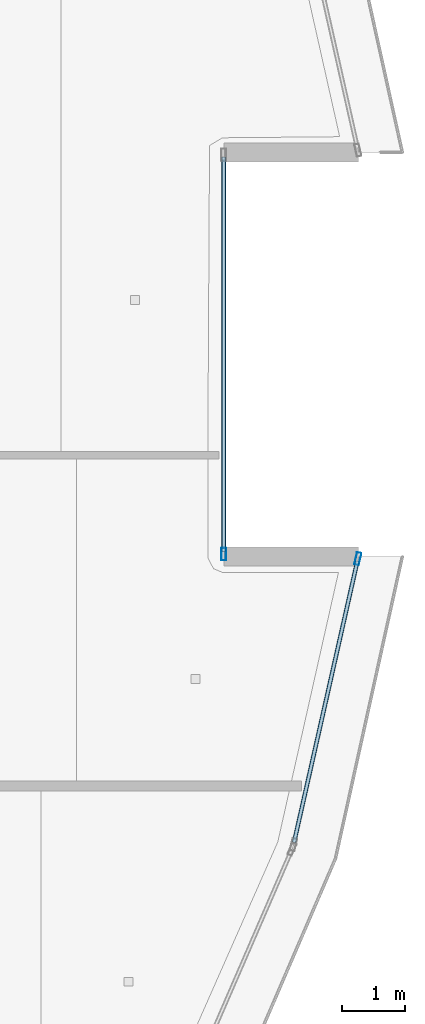
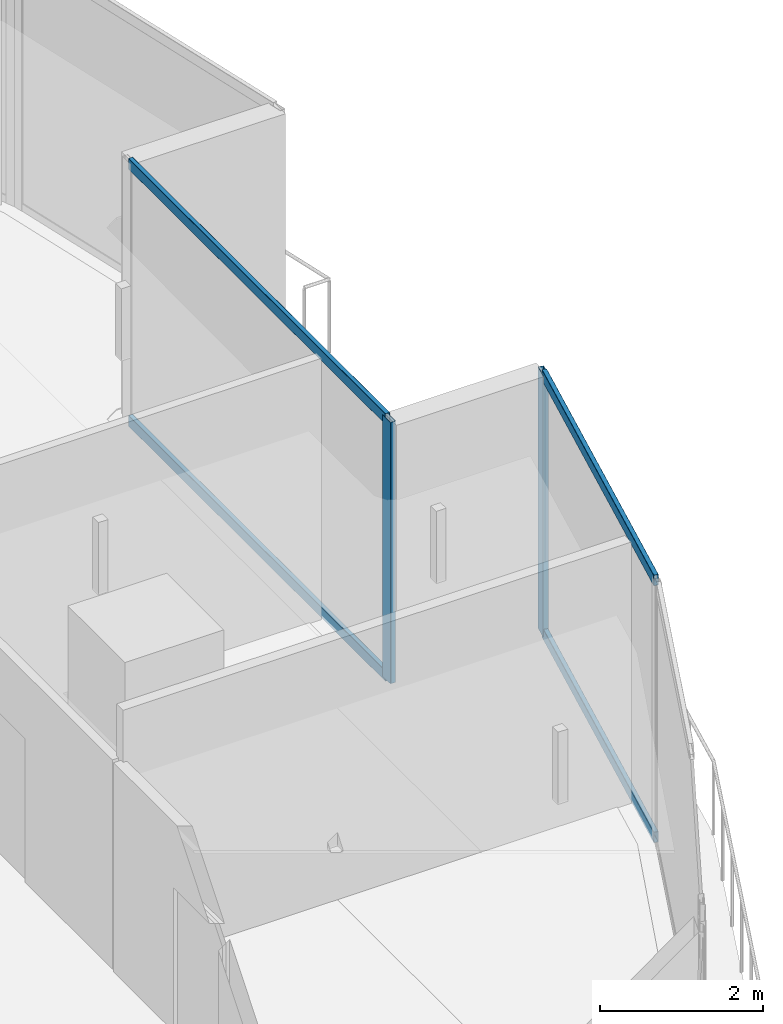
# One storey, part 10 of 24: 6 members, 2 elements without a shape of their own.
"""IFC4 building model written with IfcOpenShell, lengths in metres."""

from ifc_helpers import new_model, si_unit, direction, frame, origin, origin_2d, place, context, subcontext, project, spatial, hollow_rectangle, extrude, material, layer, layer_set, material_profile, profile_set, type_object, element, aggregate, save


model = new_model("IFC4")

# Units and contexts
model_context = context("Model", 3, precision=1e-05, world=origin(), true_north=direction((0.0, 1.0)))
body_context = subcontext(model_context, "Body", "Model", "MODEL_VIEW")
ifc_project = project(units=[si_unit("LENGTHUNIT", "METRE"), si_unit("AREAUNIT", "SQUARE_METRE"), si_unit("VOLUMEUNIT", "CUBIC_METRE"), si_unit("PLANEANGLEUNIT", "RADIAN"), si_unit("MASSUNIT", "GRAM", prefix="KILO")], contexts=[model_context])

# Site, building, storey
site_placement = place(None, origin())
site = spatial("IfcSite", under=ifc_project, at=site_placement, CompositionType="ELEMENT")
building_placement = place(site_placement, origin())
building = spatial("IfcBuilding", under=site, at=building_placement, Name="Qorvath Tower", CompositionType="ELEMENT")
storey_placement = place(building_placement, frame((0.0, 0.0, 318.60009765625)))
storey = spatial("IfcBuildingStorey", under=building, at=storey_placement, Name="L74", CompositionType="ELEMENT", Elevation=318.60009765625)

# Curtain wall, member
ifc_material_1 = material(Name="Anodised aluminium and triple low-E glass", Category="aluminium")
ifc_layer = layer(ifc_material_1, 0.179931640625)
ifc_layer_set = layer_set([ifc_layer], Name="CW-SYS-4")
curtain_wall_type = type_object("IfcCurtainWallType", Name="CW-SYS-4", PredefinedType="NOTDEFINED", material=ifc_layer_set)
curtain_wall_1_placement = place(storey_placement, origin())
curtain_wall_1 = element("IfcCurtainWall", 1, at=curtain_wall_1_placement, inside=storey, type_object=curtain_wall_type, Name="Curtain Wall CW-4 CW-T-L74-7.1", PredefinedType="NOTDEFINED")
ifc_material_2 = material(Name="Anodised aluminium 6063-T6", Category="aluminium")
ifc_material_profile_1 = material_profile(ifc_material_2, hollow_rectangle(XDim=0.074951171875, YDim=0.199951171875, WallThickness=0.00390625, InnerFilletRadius=0.00390625, OuterFilletRadius=0.008056640625, at=origin_2d()), Name="CWM 200x75")
ifc_profile_set_1 = profile_set([ifc_material_profile_1], Name="Anodised aluminium 6063-T6")
member_type_1 = type_object("IfcMemberType", Name="CWM-200", PredefinedType="MULLION", material=ifc_profile_set_1)
member_1_placement = place(storey_placement, frame((-5.02880859375, -3.260498046875, 0.0), z_axis=(0.0, 0.0, 1.0), x_axis=(-0.975596914118, 0.219569262793, 0.0)))
member_1 = element("IfcMember", 2, at=member_1_placement, type_object=member_type_1, Name="CW-4 mullion 2", PredefinedType="MULLION", context=body_context, shape_type="SweptSolid", body=[
    extrude(hollow_rectangle(XDim=0.074951171875, YDim=0.199951171875, WallThickness=0.00390625, InnerFilletRadius=0.00390625, OuterFilletRadius=0.008056640625, at=origin_2d()), origin(), (0.0, 0.0, 1.0), 3.909912109375),
])

curtain_wall_2_placement = place(storey_placement, origin())
curtain_wall_2 = element("IfcCurtainWall", 3, at=curtain_wall_2_placement, inside=storey, type_object=curtain_wall_type, Name="Curtain Wall CW-4 CW-T-L74-9.1", PredefinedType="NOTDEFINED")
member_2_placement = place(storey_placement, frame((-7.169677734375, -3.186279296875, 0.0), z_axis=(0.0, 0.0, 1.0), x_axis=(-1.0, 0.0, 0.0)))
member_2 = element("IfcMember", 4, at=member_2_placement, type_object=member_type_1, Name="CW-4 mullion 1", PredefinedType="MULLION", context=body_context, shape_type="SweptSolid", body=[
    extrude(hollow_rectangle(XDim=0.074951171875, YDim=0.199951171875, WallThickness=0.00390625, InnerFilletRadius=0.00390625, OuterFilletRadius=0.008056640625, at=origin_2d()), origin(), (0.0, 0.0, 1.0), 3.909912109375),
])

# Member
ifc_material_3 = material(Name="Anodised aluminium 6063-T6", Category="aluminium")
ifc_material_profile_2 = material_profile(ifc_material_3, hollow_rectangle(XDim=0.06494140625, YDim=0.159912109375, WallThickness=0.00341796875, InnerFilletRadius=0.00341796875, OuterFilletRadius=0.007080078125, at=origin_2d()), Name="CWT 160x65")
ifc_profile_set_2 = profile_set([ifc_material_profile_2], Name="Anodised aluminium 6063-T6")
member_type_2 = type_object("IfcMemberType", Name="CWT-160", PredefinedType="USERDEFINED", material=ifc_profile_set_2)
member_3_placement = place(storey_placement, frame((-6.0478515625, -7.7880859375, 0.032470703125), z_axis=(0.219619463429, 0.975585614533, 0.0), x_axis=(-0.975585614533, 0.219619463429, 0.0)))
member_3 = element("IfcMember", 5, at=member_3_placement, type_object=member_type_2, Name="CW-4 transom 1.1", ObjectType="TRANSOM", PredefinedType="USERDEFINED", context=body_context, shape_type="SweptSolid", body=[
    extrude(hollow_rectangle(XDim=0.06494140625, YDim=0.159912109375, WallThickness=0.00341796875, InnerFilletRadius=0.00341796875, OuterFilletRadius=0.007080078125, at=origin_2d()), origin(), (0.0, 0.0, 1.0), 4.603271484375),
])

member_4_placement = place(storey_placement, frame((-6.0478515625, -7.7880859375, 3.87744140625), z_axis=(0.219619463429, 0.975585614533, 0.0), x_axis=(-0.975585614533, 0.219619463429, 0.0)))
member_4 = element("IfcMember", 6, at=member_4_placement, type_object=member_type_2, Name="CW-4 transom 1.2", ObjectType="TRANSOM", PredefinedType="USERDEFINED", context=body_context, shape_type="SweptSolid", body=[
    extrude(hollow_rectangle(XDim=0.06494140625, YDim=0.159912109375, WallThickness=0.00341796875, InnerFilletRadius=0.00341796875, OuterFilletRadius=0.007080078125, at=origin_2d()), origin(), (0.0, 0.0, 1.0), 4.603271484375),
])

aggregate(curtain_wall_1, [member_1, member_3, member_4])

member_5_placement = place(storey_placement, frame((-7.169677734375, -3.14892578125, 0.032470703125), z_axis=(0.0, 1.0, 0.0), x_axis=(-1.0, 0.0, 0.0)))
member_5 = element("IfcMember", 7, at=member_5_placement, type_object=member_type_2, Name="CW-4 transom 1.1", ObjectType="TRANSOM", PredefinedType="USERDEFINED", context=body_context, shape_type="SweptSolid", body=[
    extrude(hollow_rectangle(XDim=0.06494140625, YDim=0.159912109375, WallThickness=0.00341796875, InnerFilletRadius=0.00341796875, OuterFilletRadius=0.007080078125, at=origin_2d()), origin(), (0.0, 0.0, 1.0), 6.2978515625),
])

member_6_placement = place(storey_placement, frame((-7.169677734375, -3.14892578125, 3.87744140625), z_axis=(0.0, 1.0, 0.0), x_axis=(-1.0, 0.0, 0.0)))
member_6 = element("IfcMember", 8, at=member_6_placement, type_object=member_type_2, Name="CW-4 transom 1.2", ObjectType="TRANSOM", PredefinedType="USERDEFINED", context=body_context, shape_type="SweptSolid", body=[
    extrude(hollow_rectangle(XDim=0.06494140625, YDim=0.159912109375, WallThickness=0.00341796875, InnerFilletRadius=0.00341796875, OuterFilletRadius=0.007080078125, at=origin_2d()), origin(), (0.0, 0.0, 1.0), 6.2978515625),
])

aggregate(curtain_wall_2, [member_2, member_5, member_6])

save(model, "model.ifc")
